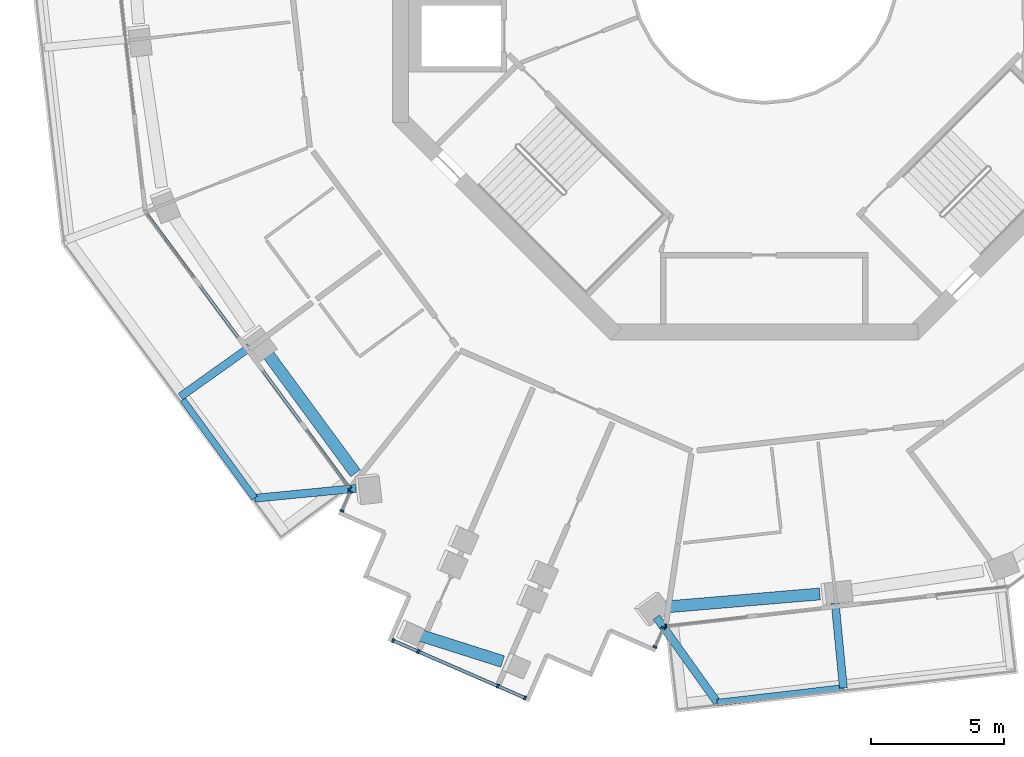
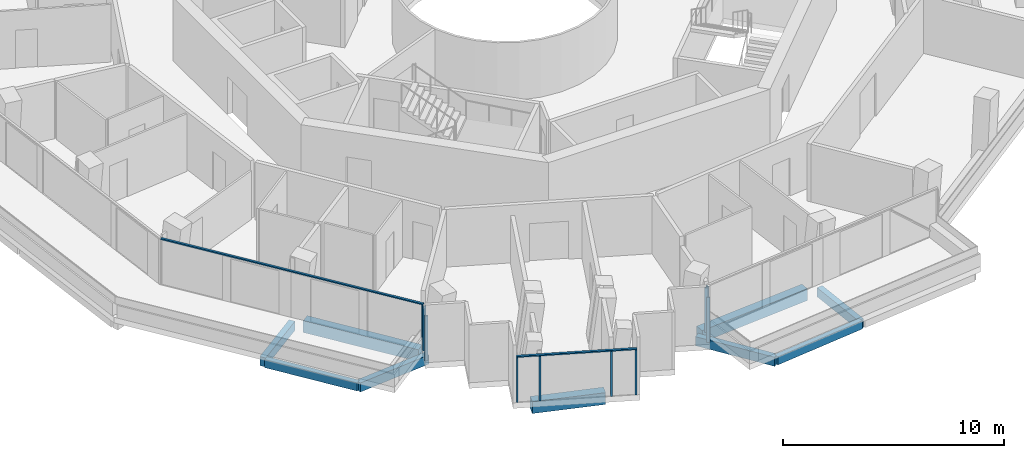
# One storey, part 2 of 23: 12 members, 9 beams, 5 elements without a shape of their own.
"""IFC4 building model written with IfcOpenShell, lengths in metres."""

from ifc_helpers import new_model, si_unit, direction, frame, origin, origin_2d, place, context, subcontext, project, spatial, rectangle, extrude, material, layer, layer_set, material_profile, profile_set, type_object, element, aggregate, save


model = new_model("IFC4")

# Units and contexts
model_context = context("Model", 3, precision=1e-05, world=origin(), true_north=direction((0.0, 1.0)))
body_context = subcontext(model_context, "Body", "Model", "MODEL_VIEW")
ifc_project = project(units=[si_unit("LENGTHUNIT", "METRE"), si_unit("AREAUNIT", "SQUARE_METRE"), si_unit("VOLUMEUNIT", "CUBIC_METRE"), si_unit("PLANEANGLEUNIT", "RADIAN"), si_unit("MASSUNIT", "GRAM", prefix="KILO")], contexts=[model_context])

# Site, building, storey
site_placement = place(None, origin())
site = spatial("IfcSite", under=ifc_project, at=site_placement, CompositionType="ELEMENT")
building_placement = place(site_placement, origin())
building = spatial("IfcBuilding", under=site, at=building_placement, Name="Verdalira Terraces Hotel", CompositionType="ELEMENT")
storey_placement = place(building_placement, frame((0.0, 0.0, 183.5)))
storey = spatial("IfcBuildingStorey", under=building, at=storey_placement, Name="L44", CompositionType="ELEMENT", Elevation=183.5)

# Beams
ifc_material_1 = material(Name="Concrete C40", Category="concrete")
ifc_material_profile_1 = material_profile(ifc_material_1, rectangle(XDim=0.300049, YDim=0.5, at=origin_2d()), Name="RC 300X500")
ifc_profile_set_1 = profile_set([ifc_material_profile_1], Name="Concrete C40")
beam_type_1 = type_object("IfcBeamType", Name="Balcony cantilever beam RC 300X500 C40", PredefinedType="BEAM", material=ifc_profile_set_1)
beam_1_placement = place(storey_placement, frame((-19.368896, -14.27002, -0.560059), z_axis=(-0.813955029, -0.580927888, 0.0), x_axis=(0.580927888, -0.813955029, 0.0)))
element("IfcBeam", 1, at=beam_1_placement, inside=storey, type_object=beam_type_1, Name="Balcony cantilever beam R12-1", PredefinedType="BEAM", context=body_context, shape_type="SweptSolid", body=[
    extrude(rectangle(XDim=0.300049, YDim=0.5, at=origin_2d()), origin(), (0.0, 0.0, 1.0), 3.200684),
])
beam_2_placement = place(storey_placement, frame((-15.379395, -19.586914, -0.560059), z_axis=(-0.995362656, -0.096193463, 0.0), x_axis=(0.096193463, -0.995362656, 0.0)))
element("IfcBeam", 2, at=beam_2_placement, inside=storey, type_object=beam_type_1, Name="Balcony cantilever beam R12-2", PredefinedType="BEAM", context=body_context, shape_type="SweptSolid", body=[
    extrude(rectangle(XDim=0.300049, YDim=0.5, at=origin_2d()), origin(), (0.0, 0.0, 1.0), 3.819824),
])
beam_3_placement = place(storey_placement, frame((-4.05957, -24.431641, -0.560059), z_axis=(0.581004298, -0.813900489, 0.0), x_axis=(0.813900489, 0.581004298, 0.0)))
element("IfcBeam", 3, at=beam_3_placement, inside=storey, type_object=beam_type_1, Name="Balcony cantilever beam R25-1", PredefinedType="BEAM", context=body_context, shape_type="SweptSolid", body=[
    extrude(rectangle(XDim=0.300049, YDim=0.5, at=origin_2d()), origin(), (0.0, 0.0, 1.0), 3.949951),
])
beam_4_placement = place(storey_placement, frame((2.673584, -23.908936, -0.560059), z_axis=(0.096180376, -0.995363921, 0.0), x_axis=(0.995363921, 0.096180376, 0.0)))
element("IfcBeam", 4, at=beam_4_placement, inside=storey, type_object=beam_type_1, Name="Balcony cantilever beam R25-2", PredefinedType="BEAM", context=body_context, shape_type="SweptSolid", body=[
    extrude(rectangle(XDim=0.300049, YDim=0.5, at=origin_2d()), origin(), (0.0, 0.0, 1.0), 3.200928),
])
ifc_material_2 = material(Name="Concrete C40", Category="concrete")
ifc_material_profile_2 = material_profile(ifc_material_2, rectangle(XDim=0.25, YDim=0.449951, at=origin_2d()), Name="RC 250X450")
ifc_profile_set_2 = profile_set([ifc_material_profile_2], Name="Concrete C40")
beam_type_2 = type_object("IfcBeamType", Name="Balcony edge beam RC 250X450 C40", PredefinedType="BEAM", material=ifc_profile_set_2)
beam_5_placement = place(storey_placement, frame((-21.885742, -16.250732, -0.534912), z_axis=(0.589712216, -0.807613461, 0.0), x_axis=(0.807613461, 0.589712216, 0.0)))
element("IfcBeam", 5, at=beam_5_placement, inside=storey, type_object=beam_type_2, Name="Balcony edge beam R12-1", PredefinedType="BEAM", context=body_context, shape_type="SweptSolid", body=[
    extrude(rectangle(XDim=0.25, YDim=0.449951, at=origin_2d()), origin(), (0.0, 0.0, 1.0), 4.585938),
])
beam_6_placement = place(storey_placement, frame((-1.764648, -27.646484, -0.534912), z_axis=(0.993315966, 0.115426994, 0.0), x_axis=(-0.115426994, 0.993315966, 0.0)))
element("IfcBeam", 6, at=beam_6_placement, inside=storey, type_object=beam_type_2, Name="Balcony edge beam R25-1", PredefinedType="BEAM", context=body_context, shape_type="SweptSolid", body=[
    extrude(rectangle(XDim=0.25, YDim=0.449951, at=origin_2d()), origin(), (0.0, 0.0, 1.0), 4.778076),
])

# Curtain wall, member
ifc_material_3 = material(Name="Clear glass", Category="glass")
ifc_layer_1 = layer(ifc_material_3, 0.14990234375)
ifc_layer_set_1 = layer_set([ifc_layer_1], Name="CW1 curtain wall")
curtain_wall_type_1 = type_object("IfcCurtainWallType", Name="CW1 curtain wall", PredefinedType="NOTDEFINED", material=ifc_layer_set_1)
curtain_wall_1_placement = place(storey_placement, origin())
curtain_wall_1 = element("IfcCurtainWall", 7, at=curtain_wall_1_placement, inside=storey, type_object=curtain_wall_type_1, Name="CW1 curtain wall L44 edge 13", PredefinedType="NOTDEFINED")
ifc_material_4 = material(Name="Terracotta frame", Category="masonry")
ifc_material_profile_3 = material_profile(ifc_material_4, rectangle(XDim=0.060059, YDim=0.149902, at=origin_2d()), Name="MU 60x150")
ifc_profile_set_3 = profile_set([ifc_material_profile_3], Name="Terracotta frame")
member_type_1 = type_object("IfcMemberType", Name="CW1 mullion 60x150", PredefinedType="MULLION", material=ifc_profile_set_3)
member_1_placement = place(storey_placement, frame((-15.598389, -19.580322, 0.0), z_axis=(0.0, 0.0, 1.0), x_axis=(0.594542152, -0.804064444, 0.0)))
member_1 = element("IfcMember", 8, at=member_1_placement, type_object=member_type_1, Name="CW1 mullion", PredefinedType="MULLION", context=body_context, shape_type="SweptSolid", body=[
    extrude(rectangle(XDim=0.060059, YDim=0.149902, at=origin_2d()), origin(), (0.0, 0.0, 1.0), 2.475098),
])

curtain_wall_2_placement = place(storey_placement, origin())
curtain_wall_2 = element("IfcCurtainWall", 9, at=curtain_wall_2_placement, inside=storey, type_object=curtain_wall_type_1, Name="CW1 curtain wall L44 edge 25", PredefinedType="NOTDEFINED")
member_2_placement = place(storey_placement, frame((-3.699463, -24.759033, 0.0), z_axis=(0.0, 0.0, 1.0), x_axis=(0.993611311, 0.112856385, 0.0)))
member_2 = element("IfcMember", 10, at=member_2_placement, type_object=member_type_1, Name="CW1 mullion", PredefinedType="MULLION", context=body_context, shape_type="SweptSolid", body=[
    extrude(rectangle(XDim=0.060059, YDim=0.149902, at=origin_2d()), origin(), (0.0, 0.0, 1.0), 2.475098),
])
aggregate(curtain_wall_2, [member_2])

# Member
ifc_material_5 = material(Name="Terracotta frame", Category="masonry")
ifc_material_profile_4 = material_profile(ifc_material_5, rectangle(XDim=0.110107, YDim=0.064941, at=origin_2d()), Name="TR 65x110")
ifc_profile_set_4 = profile_set([ifc_material_profile_4], Name="Terracotta frame")
member_type_2 = type_object("IfcMemberType", Name="CW1 transom 65x110", PredefinedType="USERDEFINED", material=ifc_profile_set_4)
member_3_placement = place(storey_placement, frame((-23.285645, -9.183838, 2.507568), z_axis=(0.594545715, -0.804061809, 0.0), x_axis=(0.804061809, 0.594545715, 0.0)))
member_3 = element("IfcMember", 11, at=member_3_placement, type_object=member_type_2, Name="CW1 transom", ObjectType="TRANSOM", PredefinedType="USERDEFINED", context=body_context, shape_type="SweptSolid", body=[
    extrude(rectangle(XDim=0.110107, YDim=0.064941, at=origin_2d()), origin(), (0.0, 0.0, 1.0), 12.959961),
])

aggregate(curtain_wall_1, [member_1, member_3])

# Curtain wall, members
ifc_material_6 = material(Name="Clear glass", Category="glass")
ifc_layer_2 = layer(ifc_material_6, 0.14990234375)
ifc_layer_set_2 = layer_set([ifc_layer_2], Name="CW2 curtain wall")
curtain_wall_type_2 = type_object("IfcCurtainWallType", Name="CW2 curtain wall", PredefinedType="NOTDEFINED", material=ifc_layer_set_2)
curtain_wall_3_placement = place(storey_placement, origin())
curtain_wall_3 = element("IfcCurtainWall", 12, at=curtain_wall_3_placement, inside=storey, type_object=curtain_wall_type_2, Name="CW2 curtain wall L44 edge 14", PredefinedType="NOTDEFINED")
ifc_material_7 = material(Name="Terracotta frame", Category="masonry")
ifc_material_profile_5 = material_profile(ifc_material_7, rectangle(XDim=0.070068, YDim=0.149902, at=origin_2d()), Name="MU 70x150")
ifc_profile_set_5 = profile_set([ifc_material_profile_5], Name="Terracotta frame")
member_type_3 = type_object("IfcMemberType", Name="CW2 mullion 70x150", PredefinedType="MULLION", material=ifc_profile_set_5)
member_4_placement = place(storey_placement, frame((-15.585938, -19.710938, 0.0), z_axis=(0.0, 0.0, 1.0), x_axis=(-0.399069159, -0.916920829, 0.0)))
member_4 = element("IfcMember", 13, at=member_4_placement, type_object=member_type_3, Name="CW2 mullion", PredefinedType="MULLION", context=body_context, shape_type="SweptSolid", body=[
    extrude(rectangle(XDim=0.070068, YDim=0.149902, at=origin_2d()), origin(), (0.0, 0.0, 1.0), 2.475098),
])
member_5_placement = place(storey_placement, frame((-15.897217, -20.42627, 0.0), z_axis=(0.0, 0.0, 1.0), x_axis=(-0.399069159, -0.916920829, 0.0)))
member_5 = element("IfcMember", 14, at=member_5_placement, type_object=member_type_3, Name="CW2 mullion", PredefinedType="MULLION", context=body_context, shape_type="SweptSolid", body=[
    extrude(rectangle(XDim=0.070068, YDim=0.149902, at=origin_2d()), origin(), (0.0, 0.0, 1.0), 2.475098),
])
aggregate(curtain_wall_3, [member_4, member_5])

curtain_wall_4_placement = place(storey_placement, origin())
curtain_wall_4 = element("IfcCurtainWall", 15, at=curtain_wall_4_placement, inside=storey, type_object=curtain_wall_type_2, Name="CW2 curtain wall L44 edge 24", PredefinedType="NOTDEFINED")
member_6_placement = place(storey_placement, frame((-4.114746, -25.554199, 0.0), z_axis=(0.0, 0.0, 1.0), x_axis=(0.399069159, 0.916920829, 0.0)))
member_6 = element("IfcMember", 16, at=member_6_placement, type_object=member_type_3, Name="CW2 mullion", PredefinedType="MULLION", context=body_context, shape_type="SweptSolid", body=[
    extrude(rectangle(XDim=0.070068, YDim=0.149902, at=origin_2d()), origin(), (0.0, 0.0, 1.0), 2.475098),
])
member_7_placement = place(storey_placement, frame((-3.803467, -24.839111, 0.0), z_axis=(0.0, 0.0, 1.0), x_axis=(0.399069159, 0.916920829, 0.0)))
member_7 = element("IfcMember", 17, at=member_7_placement, type_object=member_type_3, Name="CW2 mullion", PredefinedType="MULLION", context=body_context, shape_type="SweptSolid", body=[
    extrude(rectangle(XDim=0.070068, YDim=0.149902, at=origin_2d()), origin(), (0.0, 0.0, 1.0), 2.475098),
])
aggregate(curtain_wall_4, [member_6, member_7])

ifc_material_8 = material(Name="Clear glass", Category="glass")
ifc_layer_3 = layer(ifc_material_8, 0.14990234375)
ifc_layer_set_3 = layer_set([ifc_layer_3], Name="CW3 curtain wall")
curtain_wall_type_3 = type_object("IfcCurtainWallType", Name="CW3 curtain wall", PredefinedType="NOTDEFINED", material=ifc_layer_set_3)
curtain_wall_5_placement = place(storey_placement, origin())
curtain_wall_5 = element("IfcCurtainWall", 18, at=curtain_wall_5_placement, inside=storey, type_object=curtain_wall_type_3, Name="CW3 curtain wall L44 edge 19", PredefinedType="NOTDEFINED")
ifc_material_9 = material(Name="Terracotta frame", Category="masonry")
ifc_material_profile_6 = material_profile(ifc_material_9, rectangle(XDim=0.080078, YDim=0.149902, at=origin_2d()), Name="MU 80x150")
ifc_profile_set_6 = profile_set([ifc_material_profile_6], Name="Terracotta frame")
member_type_4 = type_object("IfcMemberType", Name="CW3 mullion 80x150", PredefinedType="MULLION", material=ifc_profile_set_6)
member_8_placement = place(storey_placement, frame((-13.971436, -25.310547, 0.0), z_axis=(0.0, 0.0, 1.0), x_axis=(0.916920829, -0.399069159, 0.0)))
member_8 = element("IfcMember", 19, at=member_8_placement, type_object=member_type_4, Name="CW3 mullion", PredefinedType="MULLION", context=body_context, shape_type="SweptSolid", body=[
    extrude(rectangle(XDim=0.080078, YDim=0.149902, at=origin_2d()), origin(), (0.0, 0.0, 1.0), 2.475098),
])
member_9_placement = place(storey_placement, frame((-13.022949, -25.723389, 0.0), z_axis=(0.0, 0.0, 1.0), x_axis=(0.916920829, -0.399069159, 0.0)))
member_9 = element("IfcMember", 20, at=member_9_placement, type_object=member_type_4, Name="CW3 mullion", PredefinedType="MULLION", context=body_context, shape_type="SweptSolid", body=[
    extrude(rectangle(XDim=0.080078, YDim=0.149902, at=origin_2d()), origin(), (0.0, 0.0, 1.0), 2.475098),
])
member_10_placement = place(storey_placement, frame((-10.029541, -27.026123, 0.0), z_axis=(0.0, 0.0, 1.0), x_axis=(0.916920829, -0.399069159, 0.0)))
member_10 = element("IfcMember", 21, at=member_10_placement, type_object=member_type_4, Name="CW3 mullion", PredefinedType="MULLION", context=body_context, shape_type="SweptSolid", body=[
    extrude(rectangle(XDim=0.080078, YDim=0.149902, at=origin_2d()), origin(), (0.0, 0.0, 1.0), 2.475098),
])
member_11_placement = place(storey_placement, frame((-9.001709, -27.473633, 0.0), z_axis=(0.0, 0.0, 1.0), x_axis=(0.916920829, -0.399069159, 0.0)))
member_11 = element("IfcMember", 22, at=member_11_placement, type_object=member_type_4, Name="CW3 mullion", PredefinedType="MULLION", context=body_context, shape_type="SweptSolid", body=[
    extrude(rectangle(XDim=0.080078, YDim=0.149902, at=origin_2d()), origin(), (0.0, 0.0, 1.0), 2.475098),
])
ifc_material_10 = material(Name="Terracotta frame", Category="masonry")
ifc_material_profile_7 = material_profile(ifc_material_10, rectangle(XDim=0.120117, YDim=0.064941, at=origin_2d()), Name="TR 65x120")
ifc_profile_set_7 = profile_set([ifc_material_profile_7], Name="Terracotta frame")
member_type_5 = type_object("IfcMemberType", Name="CW3 transom 65x120", PredefinedType="USERDEFINED", material=ifc_profile_set_7)
member_12_placement = place(storey_placement, frame((-14.008057, -25.294678, 2.507568), z_axis=(0.916921791, -0.399066949, 0.0), x_axis=(0.399066949, 0.916921791, 0.0)))
member_12 = element("IfcMember", 23, at=member_12_placement, type_object=member_type_5, Name="CW3 transom", ObjectType="TRANSOM", PredefinedType="USERDEFINED", context=body_context, shape_type="SweptSolid", body=[
    extrude(rectangle(XDim=0.120117, YDim=0.064941, at=origin_2d()), origin(), (0.0, 0.0, 1.0), 5.5),
])
aggregate(curtain_wall_5, [member_8, member_9, member_10, member_11, member_12])

# Beams
ifc_material_11 = material(Name="Concrete C50", Category="concrete")
ifc_material_profile_8 = material_profile(ifc_material_11, rectangle(XDim=0.449951, YDim=0.649902, at=origin_2d()), Name="RC 450X650")
ifc_profile_set_8 = profile_set([ifc_material_profile_8], Name="Concrete C50")
beam_type_3 = type_object("IfcBeamType", Name="Spandrel beam RC 450X650 C50", PredefinedType="SPANDREL", material=ifc_profile_set_8)
beam_7_placement = place(storey_placement, frame((-18.765869, -14.415039, -0.63501), z_axis=(0.592112724, -0.80585515, 0.0), x_axis=(0.80585515, 0.592112724, 0.0)))
element("IfcBeam", 24, at=beam_7_placement, inside=storey, type_object=beam_type_3, Name="Spandrel beam B09", PredefinedType="SPANDREL", context=body_context, shape_type="SweptSolid", body=[
    extrude(rectangle(XDim=0.449951, YDim=0.649902, at=origin_2d()), origin(), (0.0, 0.0, 1.0), 5.706543),
])
beam_8_placement = place(storey_placement, frame((-13.09082, -25.06958, -0.63501), z_axis=(0.952897526, -0.303292441, 0.0), x_axis=(0.303292441, 0.952897526, 0.0)))
element("IfcBeam", 25, at=beam_8_placement, inside=storey, type_object=beam_type_3, Name="Spandrel beam B10", PredefinedType="SPANDREL", context=body_context, shape_type="SweptSolid", body=[
    extrude(rectangle(XDim=0.449951, YDim=0.649902, at=origin_2d()), origin(), (0.0, 0.0, 1.0), 3.405029),
])
beam_9_placement = place(storey_placement, frame((-3.69751, -24.045898, -0.63501), z_axis=(0.996459499, 0.084074171, 0.0), x_axis=(-0.084074171, 0.996459499, 0.0)))
element("IfcBeam", 26, at=beam_9_placement, inside=storey, type_object=beam_type_3, Name="Spandrel beam B11", PredefinedType="SPANDREL", context=body_context, shape_type="SweptSolid", body=[
    extrude(rectangle(XDim=0.449951, YDim=0.649902, at=origin_2d()), origin(), (0.0, 0.0, 1.0), 5.813477),
])

save(model, "model.ifc")
